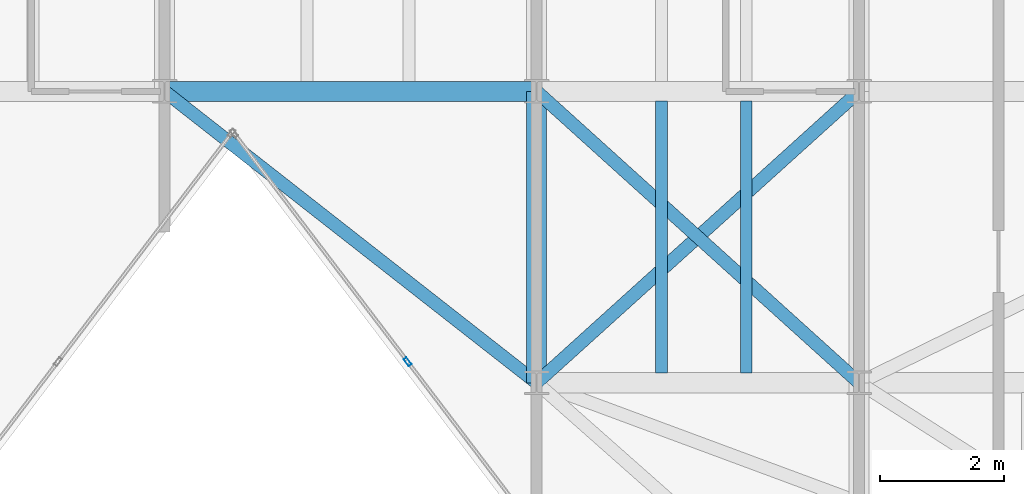
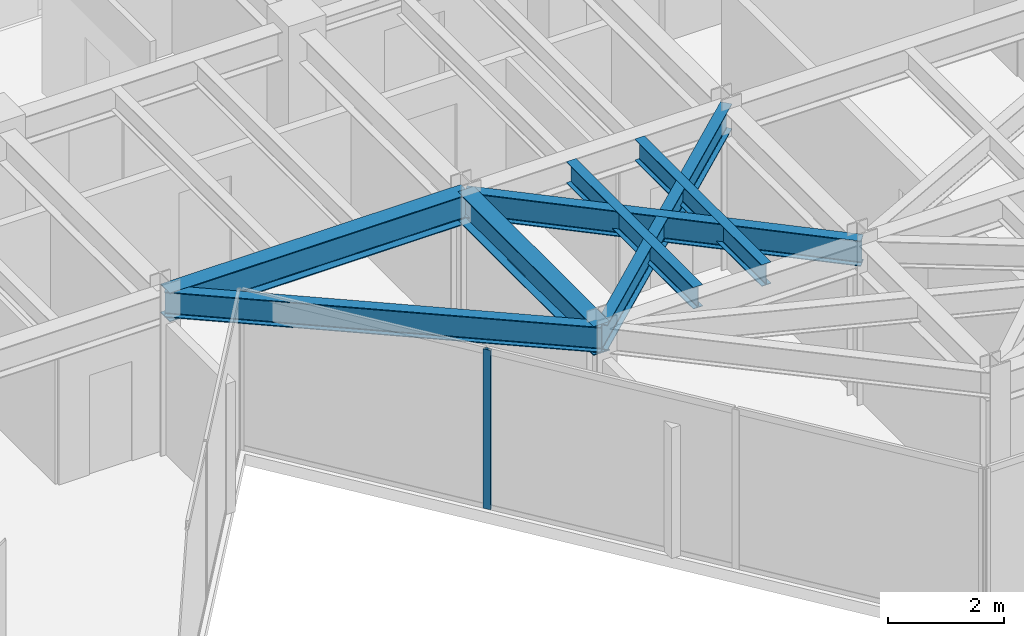
# One storey, part 8 of 16: 7 beams, 1 member, 1 element without a shape of its own.
"""IFC4 building model written with IfcOpenShell, lengths in metres."""

from ifc_helpers import new_model, si_unit, direction, frame, origin, origin_2d, place, context, subcontext, project, spatial, hollow_rectangle, i_section, extrude, material, layer, layer_set, material_profile, profile_set, type_object, element, aggregate, save


model = new_model("IFC4")

# Units and contexts
model_context = context("Model", 3, precision=1e-05, world=origin(), true_north=direction((0.0, 1.0)))
body_context = subcontext(model_context, "Body", "Model", "MODEL_VIEW")
ifc_project = project(units=[si_unit("LENGTHUNIT", "METRE"), si_unit("AREAUNIT", "SQUARE_METRE"), si_unit("VOLUMEUNIT", "CUBIC_METRE"), si_unit("PLANEANGLEUNIT", "RADIAN"), si_unit("MASSUNIT", "GRAM", prefix="KILO")], contexts=[model_context])

# Site, building, storey
site_placement = place(None, origin())
site = spatial("IfcSite", under=ifc_project, at=site_placement, CompositionType="ELEMENT")
building_placement = place(site_placement, origin())
building = spatial("IfcBuilding", under=site, at=building_placement, Name="Kravanh Interchange Tower", CompositionType="ELEMENT")
storey_placement = place(building_placement, frame((0.0, 0.0, 296.699951171875)))
storey = spatial("IfcBuildingStorey", under=building, at=storey_placement, Name="L73", CompositionType="ELEMENT", Elevation=296.699951171875)

# Curtain wall, member
ifc_material_1 = material(Name="Anodised Bronze Aluminium", Category="aluminium")
ifc_layer = layer(ifc_material_1, 0.179931640625)
ifc_layer_set = layer_set([ifc_layer], Name="Unitised Curtain Wall System CW-HTL Luxury Hotel")
curtain_wall_type = type_object("IfcCurtainWallType", Name="Unitised Curtain Wall System CW-HTL Luxury Hotel", PredefinedType="NOTDEFINED", material=ifc_layer_set)
curtain_wall_placement = place(storey_placement, origin())
curtain_wall = element("IfcCurtainWall", 1, at=curtain_wall_placement, inside=storey, type_object=curtain_wall_type, Name="L73 Unitised Curtain Wall CW-L73-04", PredefinedType="NOTDEFINED")
ifc_material_2 = material(Name="Anodised Bronze Aluminium", Category="aluminium")
ifc_material_profile_1 = material_profile(ifc_material_2, hollow_rectangle(XDim=0.06005859375, YDim=0.139892578125, WallThickness=0.00390625, at=origin_2d()), Name="ALU60X140X4")
ifc_profile_set_1 = profile_set([ifc_material_profile_1], Name="Anodised Bronze Aluminium")
member_type = type_object("IfcMemberType", Name="Curtain Wall Mullion ALU60X140X4 Bronze", PredefinedType="MULLION", material=ifc_profile_set_1)
member_placement = place(storey_placement, frame((48.7197265625, 27.140625, 0.0), z_axis=(0.0, 0.0, 1.0), x_axis=(-0.796161642797, -0.605083992962, 0.0)))
member = element("IfcMember", 2, at=member_placement, type_object=member_type, Name="CW-HTL mullion 3", PredefinedType="MULLION", context=body_context, shape_type="SweptSolid", body=[
    extrude(hollow_rectangle(XDim=0.06005859375, YDim=0.139892578125, WallThickness=0.00390625, at=origin_2d()), origin(), (0.0, 0.0, 1.0), 3.364990234375),
])
aggregate(curtain_wall, [member])

# Beams
ifc_material_3 = material(Name="Structural Steel S355", Category="steel")
ifc_material_profile_2 = material_profile(ifc_material_3, i_section(OverallWidth=0.323974609375, OverallDepth=0.611083984375, WebThickness=0.0126953125, FlangeThickness=0.01904296875, FilletRadius=0.02197265625, at=origin_2d()), Name="W24X104")
ifc_profile_set_2 = profile_set([ifc_material_profile_2], Name="Structural Steel S355")
beam_type_1 = type_object("IfcBeamType", Name="Floor Beam W24X104 Structural Steel S355", PredefinedType="BEAM", material=ifc_profile_set_2)
beam_1_placement = place(storey_placement, frame((44.800048828125, 31.5, 3.0595703125), z_axis=(1.0, 0.0, 0.0), x_axis=(0.0, 1.0, 0.0)))
element("IfcBeam", 3, at=beam_1_placement, inside=storey, type_object=beam_type_1, Name="L73 Primary Floor Girder 2", PredefinedType="BEAM", context=body_context, shape_type="SweptSolid", body=[
    extrude(i_section(OverallWidth=0.323974609375, OverallDepth=0.611083984375, WebThickness=0.0126953125, FlangeThickness=0.01904296875, FilletRadius=0.02197265625, at=origin_2d()), origin(), (0.0, 0.0, 1.0), 6.0),
])
beam_2_placement = place(storey_placement, frame((50.800048828125, 31.5, 3.0595703125), z_axis=(0.0, -1.0, 0.0), x_axis=(1.0, 0.0, 0.0)))
element("IfcBeam", 4, at=beam_2_placement, inside=storey, type_object=beam_type_1, Name="L73 Primary Floor Girder 5", PredefinedType="BEAM", context=body_context, shape_type="SweptSolid", body=[
    extrude(i_section(OverallWidth=0.323974609375, OverallDepth=0.611083984375, WebThickness=0.0126953125, FlangeThickness=0.01904296875, FilletRadius=0.02197265625, at=origin_2d()), origin(), (0.0, 0.0, 1.0), 4.699951171875),
])
ifc_material_4 = material(Name="Structural Steel S355", Category="steel")
ifc_material_profile_3 = material_profile(ifc_material_4, i_section(OverallWidth=0.18994140625, OverallDepth=0.45703125, WebThickness=0.009033203125, FlangeThickness=0.014404296875, FilletRadius=0.01806640625, at=origin_2d()), Name="W18X50")
ifc_profile_set_3 = profile_set([ifc_material_profile_3], Name="Structural Steel S355")
beam_type_2 = type_object("IfcBeamType", Name="Floor Joist W18X50 Structural Steel S355", PredefinedType="JOIST", material=ifc_profile_set_3)
for number, where, z_axis, x_axis, name in (
    (5, (52.81494140625, 26.95703125, 3.136474609375), (0.0, 1.0, 0.0), (-1.0, 0.0, 0.0), "L73 Secondary Floor Joist 3"),
    (6, (54.179931640625, 26.95703125, 3.136474609375), (0.0, 1.0, 0.0), (-1.0, 0.0, 0.0), "L73 Secondary Floor Joist 4"),
):
    element("IfcBeam", number, at=place(storey_placement, frame(where, z_axis=z_axis, x_axis=x_axis)), inside=storey, type_object=beam_type_2, Name=name, PredefinedType="JOIST", context=body_context, shape_type="SweptSolid", body=[
        extrude(i_section(OverallWidth=0.18994140625, OverallDepth=0.45703125, WebThickness=0.009033203125, FlangeThickness=0.014404296875, FilletRadius=0.01806640625, at=origin_2d()), origin(), (0.0, 0.0, 1.0), 4.385986328125),
    ])
ifc_material_5 = material(Name="Structural Steel S355", Category="steel")
ifc_material_profile_4 = material_profile(ifc_material_5, i_section(OverallWidth=0.2099609375, OverallDepth=0.537109375, WebThickness=0.010986328125, FlangeThickness=0.017333984375, FilletRadius=0.02001953125, at=origin_2d()), Name="W21X68")
ifc_profile_set_4 = profile_set([ifc_material_profile_4], Name="Structural Steel S355")
beam_type_3 = type_object("IfcBeamType", Name="Floor Spandrel W21X68 Structural Steel S355", PredefinedType="SPANDREL", material=ifc_profile_set_4)
beam_3_placement = place(storey_placement, frame((44.800048828125, 31.5, 3.096435546875), z_axis=(0.787231163579, -0.616658004967, 0.0), x_axis=(0.616658004967, 0.787231163579, 0.0)))
element("IfcBeam", 7, at=beam_3_placement, inside=storey, type_object=beam_type_3, Name="L73 Perimeter Spandrel 4", PredefinedType="SPANDREL", context=body_context, shape_type="SweptSolid", body=[
    extrude(i_section(OverallWidth=0.2099609375, OverallDepth=0.537109375, WebThickness=0.010986328125, FlangeThickness=0.017333984375, FilletRadius=0.02001953125, at=origin_2d()), origin(), (0.0, 0.0, 1.0), 7.62158203125),
])
for number, where, z_axis, x_axis, name in (
    (8, (50.800048828125, 31.5, 3.096435546875), (0.741874009795, -0.670539300557, 0.0), (0.670539300557, 0.741874009795, 0.0), "L73 Perimeter Spandrel 8"),
    (9, (56.0, 31.5, 3.096435546875), (-0.741874009795, -0.670539300557, 0.0), (0.670539300557, -0.741874009795, 0.0), "L73 Perimeter Spandrel 11"),
):
    element("IfcBeam", number, at=place(storey_placement, frame(where, z_axis=z_axis, x_axis=x_axis)), inside=storey, type_object=beam_type_3, Name=name, PredefinedType="SPANDREL", context=body_context, shape_type="SweptSolid", body=[
        extrude(i_section(OverallWidth=0.2099609375, OverallDepth=0.537109375, WebThickness=0.010986328125, FlangeThickness=0.017333984375, FilletRadius=0.02001953125, at=origin_2d()), origin(), (0.0, 0.0, 1.0), 7.00927734375),
    ])

save(model, "model.ifc")
